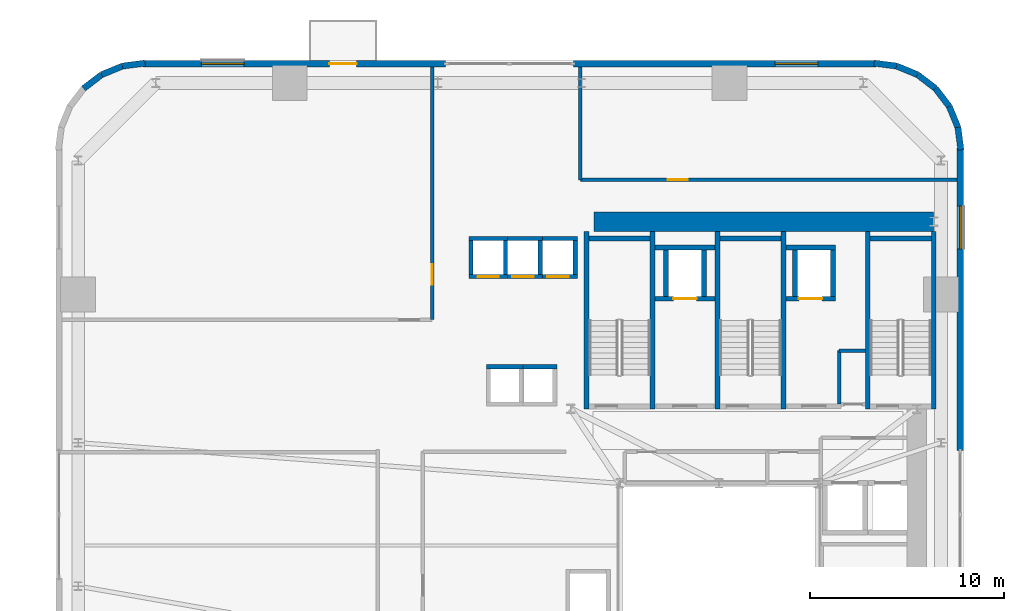
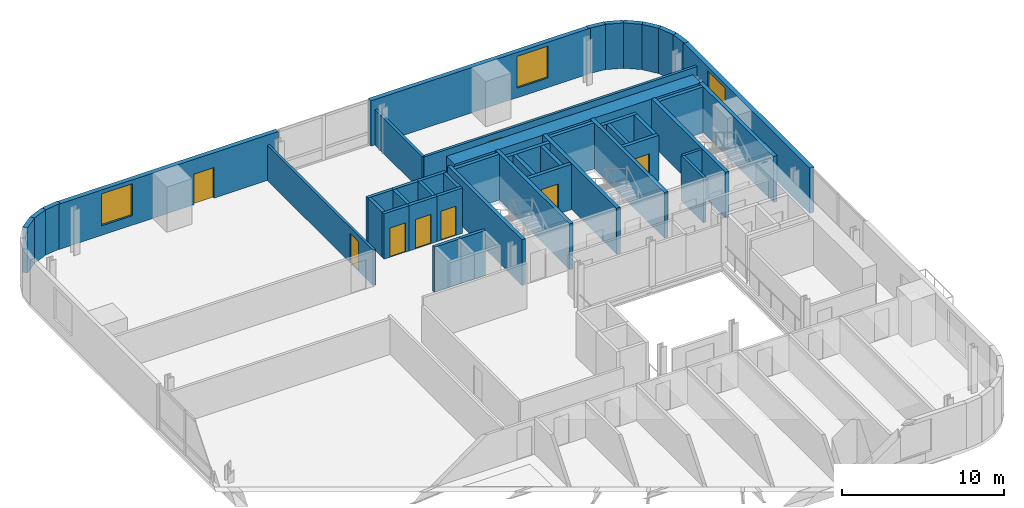
# One storey, part 8 of 12: 47 walls, 8 doors, 3 windows, 11 openings.
"""IFC4 building model written with IfcOpenShell, lengths in metres."""

from ifc_helpers import new_model, si_unit, direction, frame, frame_2d, origin, place, context, subcontext, project, spatial, rectangle, extrude, source, transform, mapped, material, layer, layer_set, type_object, element, fill, save


model = new_model("IFC4")

# Units and contexts
model_context = context("Model", 3, precision=1e-05, world=origin(), true_north=direction((0.0, 1.0)))
body_context = subcontext(model_context, "Body", "Model", "MODEL_VIEW")
ifc_project = project(units=[si_unit("LENGTHUNIT", "METRE"), si_unit("AREAUNIT", "SQUARE_METRE"), si_unit("VOLUMEUNIT", "CUBIC_METRE"), si_unit("PLANEANGLEUNIT", "RADIAN"), si_unit("MASSUNIT", "GRAM", prefix="KILO")], contexts=[model_context])

# Site, building, storey
site_placement = place(None, origin())
site = spatial("IfcSite", under=ifc_project, at=site_placement, CompositionType="ELEMENT")
building_placement = place(site_placement, origin())
building = spatial("IfcBuilding", under=site, at=building_placement, Name="Vardaveli Station Tower", CompositionType="ELEMENT")
storey_placement = place(building_placement, frame((0.0, 0.0, 60.449951171875)))
storey = spatial("IfcBuildingStorey", under=building, at=storey_placement, Name="L15", CompositionType="ELEMENT", Elevation=60.449951171875)

# Wall
ifc_material_1 = material(Name="Concrete C60/75", Category="concrete")
ifc_layer_1 = layer(ifc_material_1, 1.0, Name="Concrete C60/75")
ifc_layer_set_1 = layer_set([ifc_layer_1], Name="Concrete C60/75")
wall_type_1 = type_object("IfcWallType", Name="WAL-CORE-1000", PredefinedType="SHEAR", material=ifc_layer_set_1)
shared_shape_1 = source(origin(), body_context, "Body", "SweptSolid", [
    extrude(rectangle(XDim=17.52001953125, YDim=1.0, at=frame_2d((8.760009765625, 0.0))), origin(), (0.0, 0.0, 1.0), 3.41015625),
])
wall_1_placement = place(storey_placement, frame((29.85009765625, 40.300048828125, 0.0), z_axis=(0.0, 0.0, 1.0), x_axis=(1.0, 0.0, 0.0)))
element("IfcWall", 1, at=wall_1_placement, inside=storey, type_object=wall_type_1, Name="SW-L15-NORTH", PredefinedType="SHEAR", context=body_context, shape_type="MappedRepresentation", body=[
    mapped(shared_shape_1, transform((0.0, 0.0, 0.0), scale=1.0)),
])

# Wall, opening, window
ifc_material_2 = material(Name="Precast concrete C45/55", Category="concrete")
ifc_layer_2 = layer(ifc_material_2, 0.320068359375, Name="Precast concrete C45/55")
ifc_layer_set_2 = layer_set([ifc_layer_2], Name="Precast concrete C45/55")
wall_type_2 = type_object("IfcWallType", Name="WAL-EXT-STONE-320", PredefinedType="SOLIDWALL", material=ifc_layer_set_2)
shared_shape_2 = source(origin(), body_context, "Body", "SweptSolid", [
    extrude(rectangle(XDim=15.599853515625, YDim=0.320068359375, at=frame_2d((7.7998046875, 0.0))), origin(), (0.0, 0.0, 1.0), 3.41015625),
])
wall_2_placement = place(storey_placement, frame((44.39990234375, 48.43994140625, 0.0), z_axis=(0.0, 0.0, 1.0), x_axis=(-1.0, 0.0, 0.0)))
wall_2 = element("IfcWall", 2, at=wall_2_placement, inside=storey, type_object=wall_type_2, Name="EW-L15-N1", PredefinedType="SOLIDWALL", context=body_context, shape_type="MappedRepresentation", body=[
    mapped(shared_shape_2, transform((0.0, 0.0, 0.0), scale=1.0)),
])
shared_shape_3 = source(origin(), body_context, "Body", "SweptSolid", [
    extrude(rectangle(XDim=2.199951171875, YDim=2.39990234375, at=frame_2d((1.10009765625, 1.199951171875))), frame((0.0, 0.169921875, 0.0), z_axis=(0.0, -1.0, 0.0), x_axis=(1.0, 0.0, 0.0)), (0.0, 0.0, 1.0), 0.340087890625),
])
opening_1_placement = place(wall_2_placement, frame((3.0048828125, 0.0, 0.719970703125)))
opening_1 = element("IfcOpeningElement", 3, at=opening_1_placement, cuts=wall_2, Name="Opening W-03", PredefinedType="OPENING", context=body_context, shape_type="MappedRepresentation", body=[
    mapped(shared_shape_3, transform((0.0, 0.0, 0.0), scale=1.0)),
])
ifc_material_3 = material(Name="Low-E solar-control glass", Category="glass")
window_type = type_object("IfcWindowType", Name="WIN-LOG-2200x2400", PartitioningType="SINGLE_PANEL", PredefinedType="WINDOW", material=ifc_material_3)
shared_shape_4 = source(origin(), body_context, "Body", "SweptSolid", [
    extrude(rectangle(XDim=2.199951171875, YDim=2.39990234375, at=frame_2d((1.10009765625, 1.199951171875))), frame((0.0, 0.030029296875, 0.0), z_axis=(0.0, -1.0, 0.0), x_axis=(1.0, 0.0, 0.0)), (0.0, 0.0, 1.0), 0.06005859375),
])
window_1_placement = place(opening_1_placement, origin())
window_1 = element("IfcWindow", 4, at=window_1_placement, inside=storey, type_object=window_type, Name="WN-L15-N1", OverallHeight=2.39990234375, OverallWidth=2.199951171875, PartitioningType="SINGLE_PANEL", PredefinedType="WINDOW", context=body_context, shape_type="MappedRepresentation", body=[
    mapped(shared_shape_4, transform((0.0, 0.0, 0.0), scale=1.0)),
])
fill(opening_1, window_1)

# Wall, openings, door, window
wall_3_placement = place(storey_placement, frame((22.199951171875, 48.43994140625, 0.0), z_axis=(0.0, 0.0, 1.0), x_axis=(-1.0, 0.0, 0.0)))
wall_3 = element("IfcWall", 5, at=wall_3_placement, inside=storey, type_object=wall_type_2, Name="EW-L15-N2", PredefinedType="SOLIDWALL", context=body_context, shape_type="MappedRepresentation", body=[
    mapped(shared_shape_2, transform((0.0, 0.0, 0.0), scale=1.0)),
])
shared_shape_5 = source(origin(), body_context, "Body", "SweptSolid", [
    extrude(rectangle(XDim=1.39990234375, YDim=2.300048828125, at=frame_2d((0.699951171875, 1.14990234375))), frame((0.0, 0.169921875, 0.0), z_axis=(0.0, -1.0, 0.0), x_axis=(1.0, 0.0, 0.0)), (0.0, 0.0, 1.0), 0.340087890625),
])
opening_2_placement = place(wall_3_placement, frame((4.589599609375, 0.0, 0.0)))
opening_2 = element("IfcOpeningElement", 6, at=opening_2_placement, cuts=wall_3, Name="Opening D-09", PredefinedType="OPENING", context=body_context, shape_type="MappedRepresentation", body=[
    mapped(shared_shape_5, transform((0.0, 0.0, 0.0), scale=1.0)),
])
opening_3_placement = place(wall_3_placement, frame((10.39501953125, 0.0, 0.719970703125)))
opening_3 = element("IfcOpeningElement", 7, at=opening_3_placement, cuts=wall_3, Name="Opening W-03", PredefinedType="OPENING", context=body_context, shape_type="MappedRepresentation", body=[
    mapped(shared_shape_3, transform((0.0, 0.0, 0.0), scale=1.0)),
])
ifc_material_4 = material(Name="Thermally broken aluminium glass", Category="aluminium")
door_type_1 = type_object("IfcDoorType", Name="DR-LOG-1400x2300", OperationType="DOUBLE_DOOR_SLIDING", PredefinedType="DOOR", material=ifc_material_4)
shared_shape_6 = source(origin(), body_context, "Body", "SweptSolid", [
    extrude(rectangle(XDim=1.39990234375, YDim=2.300048828125, at=frame_2d((0.699951171875, 1.14990234375))), frame((0.0, 0.02490234375, 0.0), z_axis=(0.0, -1.0, 0.0), x_axis=(1.0, 0.0, 0.0)), (0.0, 0.0, 1.0), 0.050048828125),
])
door_1_placement = place(opening_2_placement, frame((1.39990234375, 0.0, 0.0), z_axis=(0.0, 0.0, 1.0), x_axis=(-1.0, 0.0, 0.0)))
door_1 = element("IfcDoor", 8, at=door_1_placement, inside=storey, type_object=door_type_1, Name="DLG-L15-N", OperationType="DOUBLE_DOOR_SLIDING", OverallHeight=2.300048828125, OverallWidth=1.39990234375, PredefinedType="DOOR", context=body_context, shape_type="MappedRepresentation", body=[
    mapped(shared_shape_6, transform((0.0, 0.0, 0.0), scale=1.0)),
])
fill(opening_2, door_1)
window_2_placement = place(opening_3_placement, origin())
window_2 = element("IfcWindow", 9, at=window_2_placement, inside=storey, type_object=window_type, Name="WN-L15-N2", OverallHeight=2.39990234375, OverallWidth=2.199951171875, PartitioningType="SINGLE_PANEL", PredefinedType="WINDOW", context=body_context, shape_type="MappedRepresentation", body=[
    mapped(shared_shape_4, transform((0.0, 0.0, 0.0), scale=1.0)),
])
fill(opening_3, window_2)

# Wall, opening, window
shared_shape_7 = source(origin(), body_context, "Body", "SweptSolid", [
    extrude(rectangle(XDim=15.60009765625, YDim=0.320068359375, at=frame_2d((7.800048828125, 0.0))), origin(), (0.0, 0.0, 1.0), 3.41015625),
])
wall_4_placement = place(storey_placement, frame((48.739990234375, 28.5, 0.0), z_axis=(0.0, 0.0, 1.0), x_axis=(0.0, 1.0, 0.0)))
wall_4 = element("IfcWall", 10, at=wall_4_placement, inside=storey, type_object=wall_type_2, Name="EW-L15-E2", PredefinedType="SOLIDWALL", context=body_context, shape_type="MappedRepresentation", body=[
    mapped(shared_shape_7, transform((0.0, 0.0, 0.0), scale=1.0)),
])
opening_4_placement = place(wall_4_placement, frame((10.39501953125, 0.0, 0.719970703125)))
opening_4 = element("IfcOpeningElement", 11, at=opening_4_placement, cuts=wall_4, Name="Opening W-03", PredefinedType="OPENING", context=body_context, shape_type="MappedRepresentation", body=[
    mapped(shared_shape_3, transform((0.0, 0.0, 0.0), scale=1.0)),
])
window_3_placement = place(opening_4_placement, origin())
window_3 = element("IfcWindow", 12, at=window_3_placement, inside=storey, type_object=window_type, Name="WN-L15-E2", OverallHeight=2.39990234375, OverallWidth=2.199951171875, PartitioningType="SINGLE_PANEL", PredefinedType="WINDOW", context=body_context, shape_type="MappedRepresentation", body=[
    mapped(shared_shape_4, transform((0.0, 0.0, 0.0), scale=1.0)),
])
fill(opening_4, window_3)

# Walls
shared_shape_8 = source(origin(), body_context, "Body", "SweptSolid", [
    extrude(rectangle(XDim=1.1689453125, YDim=0.320068359375, at=frame_2d((0.58447265625, 0.0))), origin(), (0.0, 0.0, 1.0), 3.41015625),
])
wall_5_placement = place(storey_placement, frame((48.179931640625, 46.2412109375, 0.0), z_axis=(0.0, 0.0, 1.0), x_axis=(-0.608387696831, 0.793639975269, 0.0)))
element("IfcWall", 13, at=wall_5_placement, inside=storey, type_object=wall_type_2, Name="EW-L15-CR3-3", PredefinedType="SOLIDWALL", context=body_context, shape_type="MappedRepresentation", body=[
    mapped(shared_shape_8, transform((0.0, 0.0, 0.0), scale=1.0)),
])
shared_shape_9 = source(origin(), body_context, "Body", "SweptSolid", [
    extrude(rectangle(XDim=1.168701171875, YDim=0.320068359375, at=frame_2d((0.58447265625, 0.0))), origin(), (0.0, 0.0, 1.0), 3.41015625),
])
for number, where, z_axis, x_axis, name in (
    (14, (47.46875, 47.1689453125, 0.0), (0.0, 0.0, 1.0), (-0.793663520347, 0.608356981114, 0.0), "EW-L15-CR3-4"),
    (15, (4.458740234375, 47.8798828125, 0.0), (0.0, 0.0, 1.0), (-0.793663520347, -0.608356981114, 0.0), "EW-L15-CR4-3"),
):
    element("IfcWall", number, at=place(storey_placement, frame(where, z_axis=z_axis, x_axis=x_axis)), inside=storey, type_object=wall_type_2, Name=name, PredefinedType="SOLIDWALL", context=body_context, shape_type="MappedRepresentation", body=[
        mapped(shared_shape_9, transform((0.0, 0.0, 0.0), scale=1.0)),
    ])
shared_shape_10 = source(origin(), body_context, "Body", "SweptSolid", [
    extrude(rectangle(XDim=1.17041015625, YDim=0.320068359375, at=frame_2d((0.585205078125, 0.0))), origin(), (0.0, 0.0, 1.0), 3.41015625),
])
for number, where, z_axis, x_axis, name in (
    (16, (48.775634765625, 43.99951171875, 0.0), (0.0, 0.0, 1.0), (-0.128295670475, 0.991735963317, 0.0), "EW-L15-CR3-1"),
    (17, (45.460205078125, 48.325439453125, 0.0), (0.0, 0.0, 1.0), (-0.991735963317, 0.128295670475, 0.0), "EW-L15-CR3-6"),
    (18, (6.700439453125, 48.4755859375, 0.0), (0.0, 0.0, 1.0), (-0.991735963317, -0.128295670475, 0.0), "EW-L15-CR4-1"),
):
    element("IfcWall", number, at=place(storey_placement, frame(where, z_axis=z_axis, x_axis=x_axis)), inside=storey, type_object=wall_type_2, Name=name, PredefinedType="SOLIDWALL", context=body_context, shape_type="MappedRepresentation", body=[
        mapped(shared_shape_10, transform((0.0, 0.0, 0.0), scale=1.0)),
    ])
shared_shape_11 = source(origin(), body_context, "Body", "SweptSolid", [
    extrude(rectangle(XDim=1.169189453125, YDim=0.320068359375, at=frame_2d((0.58447265625, 0.0))), origin(), (0.0, 0.0, 1.0), 3.41015625),
])
for number, where, z_axis, x_axis, name in (
    (19, (48.62548828125, 45.16015625, 0.0), (0.0, 0.0, 1.0), (-0.381054331552, 0.924552646638, 0.0), "EW-L15-CR3-2"),
    (20, (46.541259765625, 47.8798828125, 0.0), (0.0, 0.0, 1.0), (-0.924552646638, 0.381054331552, 0.0), "EW-L15-CR3-5"),
    (21, (5.539794921875, 48.325439453125, 0.0), (0.0, 0.0, 1.0), (-0.924552646638, -0.381054331552, 0.0), "EW-L15-CR4-2"),
):
    element("IfcWall", number, at=place(storey_placement, frame(where, z_axis=z_axis, x_axis=x_axis)), inside=storey, type_object=wall_type_2, Name=name, PredefinedType="SOLIDWALL", context=body_context, shape_type="MappedRepresentation", body=[
        mapped(shared_shape_11, transform((0.0, 0.0, 0.0), scale=1.0)),
    ])
ifc_material_5 = material(Name="Concrete C40/50", Category="concrete")
ifc_layer_3 = layer(ifc_material_5, 0.25, Name="Concrete C40/50")
ifc_layer_set_3 = layer_set([ifc_layer_3], Name="Concrete C40/50")
wall_type_3 = type_object("IfcWallType", Name="WAL-SHAFT-250", PredefinedType="SOLIDWALL", material=ifc_layer_set_3)
shared_shape_12 = source(origin(), body_context, "Body", "SweptSolid", [
    extrude(rectangle(XDim=9.150146484375, YDim=0.25, at=frame_2d((4.5751953125, 0.0))), origin(), (0.0, 0.0, 1.0), 3.449951171875),
])
for number, where, z_axis, x_axis, name in (
    (22, (29.47509765625, 30.64990234375, 0.0), (0.0, 0.0, 1.0), (0.0, 1.0, 0.0), "W-L15-ST-1W"),
    (23, (32.875, 30.64990234375, 0.0), (0.0, 0.0, 1.0), (0.0, 1.0, 0.0), "W-L15-ST-1E"),
    (24, (36.22509765625, 30.64990234375, 0.0), (0.0, 0.0, 1.0), (0.0, 1.0, 0.0), "W-L15-ST-2W"),
    (25, (39.625, 30.64990234375, 0.0), (0.0, 0.0, 1.0), (0.0, 1.0, 0.0), "W-L15-ST-2E"),
    (26, (43.97509765625, 30.64990234375, 0.0), (0.0, 0.0, 1.0), (0.0, 1.0, 0.0), "W-L15-ST-3W"),
    (27, (47.375, 30.64990234375, 0.0), (0.0, 0.0, 1.0), (0.0, 1.0, 0.0), "W-L15-ST-3E"),
):
    element("IfcWall", number, at=place(storey_placement, frame(where, z_axis=z_axis, x_axis=x_axis)), inside=storey, type_object=wall_type_3, Name=name, PredefinedType="SOLIDWALL", context=body_context, shape_type="MappedRepresentation", body=[
        mapped(shared_shape_12, transform((0.0, 0.0, 0.0), scale=1.0)),
    ])
shared_shape_13 = source(origin(), body_context, "Body", "SweptSolid", [
    extrude(rectangle(XDim=3.14990234375, YDim=0.25, at=frame_2d((1.574951171875, 0.0))), origin(), (0.0, 0.0, 1.0), 3.449951171875),
])
for number, where, z_axis, x_axis, name in (
    (28, (29.60009765625, 39.425048828125, 0.0), (0.0, 0.0, 1.0), (1.0, 0.0, 0.0), "W-L15-ST-1N"),
    (29, (36.35009765625, 39.425048828125, 0.0), (0.0, 0.0, 1.0), (1.0, 0.0, 0.0), "W-L15-ST-2N"),
    (30, (44.10009765625, 39.425048828125, 0.0), (0.0, 0.0, 1.0), (1.0, 0.0, 0.0), "W-L15-ST-3N"),
):
    element("IfcWall", number, at=place(storey_placement, frame(where, z_axis=z_axis, x_axis=x_axis)), inside=storey, type_object=wall_type_3, Name=name, PredefinedType="SOLIDWALL", context=body_context, shape_type="MappedRepresentation", body=[
        mapped(shared_shape_13, transform((0.0, 0.0, 0.0), scale=1.0)),
    ])

# Wall, opening, door
ifc_layer_4 = layer(ifc_material_5, 0.219970703125, Name="Concrete C40/50")
ifc_layer_set_4 = layer_set([ifc_layer_4], Name="Concrete C40/50")
wall_type_4 = type_object("IfcWallType", Name="WAL-FFLOBBY-220", PredefinedType="SOLIDWALL", material=ifc_layer_set_4)
shared_shape_14 = source(origin(), body_context, "Body", "SweptSolid", [
    extrude(rectangle(XDim=1.989990234375, YDim=0.219970703125, at=frame_2d((0.9951171875, 0.0))), origin(), (0.0, 0.0, 1.0), 3.41015625),
])
wall_6_placement = place(storey_placement, frame((23.405029296875, 37.465087890625, 0.0), z_axis=(0.0, 0.0, 1.0), x_axis=(1.0, 0.0, 0.0)))
wall_6 = element("IfcWall", 31, at=wall_6_placement, inside=storey, type_object=wall_type_4, Name="SHW-HL1-01-L15-S", PredefinedType="SOLIDWALL", context=body_context, shape_type="MappedRepresentation", body=[
    mapped(shared_shape_14, transform((0.0, 0.0, 0.0), scale=1.0)),
])
shared_shape_15 = source(origin(), body_context, "Body", "SweptSolid", [
    extrude(rectangle(XDim=1.10009765625, YDim=2.199951171875, at=frame_2d((0.550048828125, 1.10009765625))), frame((0.0, 0.1201171875, 0.0), z_axis=(0.0, -1.0, 0.0), x_axis=(1.0, 0.0, 0.0)), (0.0, 0.0, 1.0), 0.239990234375),
])
opening_5_placement = place(wall_6_placement, frame((0.445068359375, 0.0, 0.0)))
opening_5 = element("IfcOpeningElement", 32, at=opening_5_placement, cuts=wall_6, Name="Opening LD-01", PredefinedType="OPENING", context=body_context, shape_type="MappedRepresentation", body=[
    mapped(shared_shape_15, transform((0.0, 0.0, 0.0), scale=1.0)),
])
ifc_material_6 = material(Name="Brushed stainless steel", Category="steel")
door_type_2 = type_object("IfcDoorType", Name="DR-LD-1100x2200", OperationType="DOUBLE_DOOR_SLIDING", PredefinedType="DOOR", material=ifc_material_6)
shared_shape_16 = source(origin(), body_context, "Body", "SweptSolid", [
    extrude(rectangle(XDim=1.10009765625, YDim=2.199951171875, at=frame_2d((0.550048828125, 1.10009765625))), frame((0.0, 0.02490234375, 0.0), z_axis=(0.0, -1.0, 0.0), x_axis=(1.0, 0.0, 0.0)), (0.0, 0.0, 1.0), 0.050048828125),
])
door_2_placement = place(opening_5_placement, origin())
door_2 = element("IfcDoor", 33, at=door_2_placement, inside=storey, type_object=door_type_2, Name="LD-HL1-01-L15", OperationType="DOUBLE_DOOR_SLIDING", OverallHeight=2.199951171875, OverallWidth=1.10009765625, PredefinedType="DOOR", context=body_context, shape_type="MappedRepresentation", body=[
    mapped(shared_shape_16, transform((0.0, 0.0, 0.0), scale=1.0)),
])
fill(opening_5, door_2)

# Wall
wall_7_placement = place(storey_placement, frame((23.405029296875, 39.43505859375, 0.0), z_axis=(0.0, 0.0, 1.0), x_axis=(1.0, 0.0, 0.0)))
element("IfcWall", 34, at=wall_7_placement, inside=storey, type_object=wall_type_4, Name="SHW-HL1-01-L15-N", PredefinedType="SOLIDWALL", context=body_context, shape_type="MappedRepresentation", body=[
    mapped(shared_shape_14, transform((0.0, 0.0, 0.0), scale=1.0)),
])

# Wall, opening, door
wall_8_placement = place(storey_placement, frame((25.205078125, 37.465087890625, 0.0), z_axis=(0.0, 0.0, 1.0), x_axis=(1.0, 0.0, 0.0)))
wall_8 = element("IfcWall", 35, at=wall_8_placement, inside=storey, type_object=wall_type_4, Name="SHW-HL1-02-L15-S", PredefinedType="SOLIDWALL", context=body_context, shape_type="MappedRepresentation", body=[
    mapped(shared_shape_14, transform((0.0, 0.0, 0.0), scale=1.0)),
])
opening_6_placement = place(wall_8_placement, frame((0.445068359375, 0.0, 0.0)))
opening_6 = element("IfcOpeningElement", 36, at=opening_6_placement, cuts=wall_8, Name="Opening LD-01", PredefinedType="OPENING", context=body_context, shape_type="MappedRepresentation", body=[
    mapped(shared_shape_15, transform((0.0, 0.0, 0.0), scale=1.0)),
])
door_3_placement = place(opening_6_placement, origin())
door_3 = element("IfcDoor", 37, at=door_3_placement, inside=storey, type_object=door_type_2, Name="LD-HL1-02-L15", OperationType="DOUBLE_DOOR_SLIDING", OverallHeight=2.199951171875, OverallWidth=1.10009765625, PredefinedType="DOOR", context=body_context, shape_type="MappedRepresentation", body=[
    mapped(shared_shape_16, transform((0.0, 0.0, 0.0), scale=1.0)),
])
fill(opening_6, door_3)

# Walls
wall_9_placement = place(storey_placement, frame((25.205078125, 39.43505859375, 0.0), z_axis=(0.0, 0.0, 1.0), x_axis=(1.0, 0.0, 0.0)))
element("IfcWall", 38, at=wall_9_placement, inside=storey, type_object=wall_type_4, Name="SHW-HL1-02-L15-N", PredefinedType="SOLIDWALL", context=body_context, shape_type="MappedRepresentation", body=[
    mapped(shared_shape_14, transform((0.0, 0.0, 0.0), scale=1.0)),
])
shared_shape_17 = source(origin(), body_context, "Body", "SweptSolid", [
    extrude(rectangle(XDim=1.75, YDim=0.219970703125, at=frame_2d((0.875, 0.0))), origin(), (0.0, 0.0, 1.0), 3.41015625),
])
for number, where, z_axis, x_axis, name in (
    (39, (23.514892578125, 37.574951171875, 0.0), (0.0, 0.0, 1.0), (0.0, 1.0, 0.0), "SHW-HL1-01-L15-W"),
    (40, (25.284912109375, 37.574951171875, 0.0), (0.0, 0.0, 1.0), (0.0, 1.0, 0.0), "SHW-HL1-01-L15-E"),
    (41, (27.0849609375, 37.574951171875, 0.0), (0.0, 0.0, 1.0), (0.0, 1.0, 0.0), "SHW-HL1-02-L15-E"),
    (42, (28.885009765625, 37.574951171875, 0.0), (0.0, 0.0, 1.0), (0.0, 1.0, 0.0), "SHW-HL1-03-L15-E"),
):
    element("IfcWall", number, at=place(storey_placement, frame(where, z_axis=z_axis, x_axis=x_axis)), inside=storey, type_object=wall_type_4, Name=name, PredefinedType="SOLIDWALL", context=body_context, shape_type="MappedRepresentation", body=[
        mapped(shared_shape_17, transform((0.0, 0.0, 0.0), scale=1.0)),
    ])

# Wall, opening, door
shared_shape_18 = source(origin(), body_context, "Body", "SweptSolid", [
    extrude(rectangle(XDim=1.990234375, YDim=0.219970703125, at=frame_2d((0.9951171875, 0.0))), origin(), (0.0, 0.0, 1.0), 3.41015625),
])
wall_10_placement = place(storey_placement, frame((27.0048828125, 37.465087890625, 0.0), z_axis=(0.0, 0.0, 1.0), x_axis=(1.0, 0.0, 0.0)))
wall_10 = element("IfcWall", 43, at=wall_10_placement, inside=storey, type_object=wall_type_4, Name="SHW-HL1-03-L15-S", PredefinedType="SOLIDWALL", context=body_context, shape_type="MappedRepresentation", body=[
    mapped(shared_shape_18, transform((0.0, 0.0, 0.0), scale=1.0)),
])
opening_7_placement = place(wall_10_placement, frame((0.445068359375, 0.0, 0.0)))
opening_7 = element("IfcOpeningElement", 44, at=opening_7_placement, cuts=wall_10, Name="Opening LD-01", PredefinedType="OPENING", context=body_context, shape_type="MappedRepresentation", body=[
    mapped(shared_shape_15, transform((0.0, 0.0, 0.0), scale=1.0)),
])
door_4_placement = place(opening_7_placement, origin())
door_4 = element("IfcDoor", 45, at=door_4_placement, inside=storey, type_object=door_type_2, Name="LD-HL1-03-L15", OperationType="DOUBLE_DOOR_SLIDING", OverallHeight=2.199951171875, OverallWidth=1.10009765625, PredefinedType="DOOR", context=body_context, shape_type="MappedRepresentation", body=[
    mapped(shared_shape_16, transform((0.0, 0.0, 0.0), scale=1.0)),
])
fill(opening_7, door_4)

# Wall
wall_11_placement = place(storey_placement, frame((27.0048828125, 39.43505859375, 0.0), z_axis=(0.0, 0.0, 1.0), x_axis=(1.0, 0.0, 0.0)))
element("IfcWall", 46, at=wall_11_placement, inside=storey, type_object=wall_type_4, Name="SHW-HL1-03-L15-N", PredefinedType="SOLIDWALL", context=body_context, shape_type="MappedRepresentation", body=[
    mapped(shared_shape_18, transform((0.0, 0.0, 0.0), scale=1.0)),
])

# Wall, opening, door
shared_shape_19 = source(origin(), body_context, "Body", "SweptSolid", [
    extrude(rectangle(XDim=3.10009765625, YDim=0.25, at=frame_2d((1.550048828125, 0.0))), origin(), (0.0, 0.0, 1.0), 3.41015625),
])
wall_12_placement = place(storey_placement, frame((33.0, 36.324951171875, 0.0), z_axis=(0.0, 0.0, 1.0), x_axis=(1.0, 0.0, 0.0)))
wall_12 = element("IfcWall", 47, at=wall_12_placement, inside=storey, type_object=wall_type_3, Name="SHW-FFL-01-L15-S", PredefinedType="SOLIDWALL", context=body_context, shape_type="MappedRepresentation", body=[
    mapped(shared_shape_19, transform((0.0, 0.0, 0.0), scale=1.0)),
])
shared_shape_20 = source(origin(), body_context, "Body", "SweptSolid", [
    extrude(rectangle(XDim=1.199951171875, YDim=2.25, at=frame_2d((0.60009765625, 1.125))), frame((0.0, 0.135009765625, 0.0), z_axis=(0.0, -1.0, 0.0), x_axis=(1.0, 0.0, 0.0)), (0.0, 0.0, 1.0), 0.27001953125),
])
opening_8_placement = place(wall_12_placement, frame((0.949951171875, 0.0, 0.0)))
opening_8 = element("IfcOpeningElement", 48, at=opening_8_placement, cuts=wall_12, Name="Opening LD-02", PredefinedType="OPENING", context=body_context, shape_type="MappedRepresentation", body=[
    mapped(shared_shape_20, transform((0.0, 0.0, 0.0), scale=1.0)),
])
door_type_3 = type_object("IfcDoorType", Name="DR-LD-1200x2250", OperationType="DOUBLE_DOOR_SLIDING", PredefinedType="DOOR", material=ifc_material_6)
shared_shape_21 = source(origin(), body_context, "Body", "SweptSolid", [
    extrude(rectangle(XDim=1.199951171875, YDim=2.25, at=frame_2d((0.60009765625, 1.125))), frame((0.0, 0.02490234375, 0.0), z_axis=(0.0, -1.0, 0.0), x_axis=(1.0, 0.0, 0.0)), (0.0, 0.0, 1.0), 0.050048828125),
])
door_5_placement = place(opening_8_placement, origin())
door_5 = element("IfcDoor", 49, at=door_5_placement, inside=storey, type_object=door_type_3, Name="LD-FFL-01-L15", OperationType="DOUBLE_DOOR_SLIDING", OverallHeight=2.25, OverallWidth=1.199951171875, PredefinedType="DOOR", context=body_context, shape_type="MappedRepresentation", body=[
    mapped(shared_shape_21, transform((0.0, 0.0, 0.0), scale=1.0)),
])
fill(opening_8, door_5)

# Walls
wall_13_placement = place(storey_placement, frame((33.0, 38.97509765625, 0.0), z_axis=(0.0, 0.0, 1.0), x_axis=(1.0, 0.0, 0.0)))
element("IfcWall", 50, at=wall_13_placement, inside=storey, type_object=wall_type_3, Name="SHW-FFL-01-L15-N", PredefinedType="SOLIDWALL", context=body_context, shape_type="MappedRepresentation", body=[
    mapped(shared_shape_19, transform((0.0, 0.0, 0.0), scale=1.0)),
])
shared_shape_22 = source(origin(), body_context, "Body", "SweptSolid", [
    extrude(rectangle(XDim=2.400146484375, YDim=0.25, at=frame_2d((1.2001953125, 0.0))), origin(), (0.0, 0.0, 1.0), 3.41015625),
])
for number, where, z_axis, x_axis, name in (
    (51, (33.574951171875, 36.449951171875, 0.0), (0.0, 0.0, 1.0), (0.0, 1.0, 0.0), "SHW-FFL-01-L15-W"),
    (52, (35.52490234375, 36.449951171875, 0.0), (0.0, 0.0, 1.0), (0.0, 1.0, 0.0), "SHW-FFL-01-L15-E"),
    (53, (40.22509765625, 36.449951171875, 0.0), (0.0, 0.0, 1.0), (0.0, 1.0, 0.0), "SHW-FFL-02-L15-W"),
    (54, (42.175048828125, 36.449951171875, 0.0), (0.0, 0.0, 1.0), (0.0, 1.0, 0.0), "SHW-FFL-02-L15-E"),
):
    element("IfcWall", number, at=place(storey_placement, frame(where, z_axis=z_axis, x_axis=x_axis)), inside=storey, type_object=wall_type_3, Name=name, PredefinedType="SOLIDWALL", context=body_context, shape_type="MappedRepresentation", body=[
        mapped(shared_shape_22, transform((0.0, 0.0, 0.0), scale=1.0)),
    ])

# Wall, opening, door
shared_shape_23 = source(origin(), body_context, "Body", "SweptSolid", [
    extrude(rectangle(XDim=2.550048828125, YDim=0.25, at=frame_2d((1.27490234375, 0.0))), origin(), (0.0, 0.0, 1.0), 3.41015625),
])
wall_14_placement = place(storey_placement, frame((39.75, 36.324951171875, 0.0), z_axis=(0.0, 0.0, 1.0), x_axis=(1.0, 0.0, 0.0)))
wall_14 = element("IfcWall", 55, at=wall_14_placement, inside=storey, type_object=wall_type_3, Name="SHW-FFL-02-L15-S", PredefinedType="SOLIDWALL", context=body_context, shape_type="MappedRepresentation", body=[
    mapped(shared_shape_23, transform((0.0, 0.0, 0.0), scale=1.0)),
])
opening_9_placement = place(wall_14_placement, frame((0.675048828125, 0.0, 0.0)))
opening_9 = element("IfcOpeningElement", 56, at=opening_9_placement, cuts=wall_14, Name="Opening LD-02", PredefinedType="OPENING", context=body_context, shape_type="MappedRepresentation", body=[
    mapped(shared_shape_20, transform((0.0, 0.0, 0.0), scale=1.0)),
])
door_6_placement = place(opening_9_placement, origin())
door_6 = element("IfcDoor", 57, at=door_6_placement, inside=storey, type_object=door_type_3, Name="LD-FFL-02-L15", OperationType="DOUBLE_DOOR_SLIDING", OverallHeight=2.25, OverallWidth=1.199951171875, PredefinedType="DOOR", context=body_context, shape_type="MappedRepresentation", body=[
    mapped(shared_shape_21, transform((0.0, 0.0, 0.0), scale=1.0)),
])
fill(opening_9, door_6)

# Walls
wall_15_placement = place(storey_placement, frame((39.75, 38.97509765625, 0.0), z_axis=(0.0, 0.0, 1.0), x_axis=(1.0, 0.0, 0.0)))
element("IfcWall", 58, at=wall_15_placement, inside=storey, type_object=wall_type_3, Name="SHW-FFL-02-L15-N", PredefinedType="SOLIDWALL", context=body_context, shape_type="MappedRepresentation", body=[
    mapped(shared_shape_23, transform((0.0, 0.0, 0.0), scale=1.0)),
])
shared_shape_24 = source(origin(), body_context, "Body", "SweptSolid", [
    extrude(rectangle(XDim=1.89013671875, YDim=0.219970703125, at=frame_2d((0.945068359375, 0.0))), origin(), (0.0, 0.0, 1.0), 3.41015625),
])
for number, where, z_axis, x_axis, name in (
    (59, (24.304931640625, 32.81005859375, 0.0), (0.0, 0.0, 1.0), (1.0, 0.0, 0.0), "SHW-SHU-01-L15-N"),
    (60, (26.054931640625, 32.81005859375, 0.0), (0.0, 0.0, 1.0), (1.0, 0.0, 0.0), "SHW-SHU-02-L15-N"),
):
    element("IfcWall", number, at=place(storey_placement, frame(where, z_axis=z_axis, x_axis=x_axis)), inside=storey, type_object=wall_type_4, Name=name, PredefinedType="SOLIDWALL", context=body_context, shape_type="MappedRepresentation", body=[
        mapped(shared_shape_24, transform((0.0, 0.0, 0.0), scale=1.0)),
    ])

# Wall, opening, door
ifc_material_7 = material(Name="Fire-rated gypsum stud partition")
ifc_layer_5 = layer(ifc_material_7, 0.179931640625, Name="Fire-rated gypsum stud partition")
ifc_layer_set_5 = layer_set([ifc_layer_5], Name="Fire-rated gypsum stud partition")
wall_type_5 = type_object("IfcWallType", Name="WAL-CORR-180", PredefinedType="PARTITIONING", material=ifc_layer_set_5)
shared_shape_25 = source(origin(), body_context, "Body", "SweptSolid", [
    extrude(rectangle(XDim=19.427978515625, YDim=0.179931640625, at=frame_2d((9.7138671875, 0.0))), origin(), (0.0, 0.0, 1.0), 2.652099609375),
])
wall_16_placement = place(storey_placement, frame((29.14990234375, 42.449951171875, 0.0), z_axis=(0.0, 0.0, 1.0), x_axis=(1.0, 0.0, 0.0)))
wall_16 = element("IfcWall", 61, at=wall_16_placement, inside=storey, type_object=wall_type_5, Name="W-L15-NPS", PredefinedType="PARTITIONING", context=body_context, shape_type="MappedRepresentation", body=[
    mapped(shared_shape_25, transform((0.0, 0.0, 0.0), scale=1.0)),
])
shared_shape_26 = source(origin(), body_context, "Body", "SweptSolid", [
    extrude(rectangle(XDim=1.050048828125, YDim=2.199951171875, at=frame_2d((0.52490234375, 1.10009765625))), frame((0.0, 0.10009765625, 0.0), z_axis=(0.0, -1.0, 0.0), x_axis=(1.0, 0.0, 0.0)), (0.0, 0.0, 1.0), 0.199951171875),
])
opening_10_placement = place(wall_16_placement, frame((4.5, 0.0, 0.0)))
opening_10 = element("IfcOpeningElement", 62, at=opening_10_placement, cuts=wall_16, Name="Opening D-05", PredefinedType="OPENING", context=body_context, shape_type="MappedRepresentation", body=[
    mapped(shared_shape_26, transform((0.0, 0.0, 0.0), scale=1.0)),
])
ifc_material_8 = material(Name="Walnut veneer acoustic fire door")
door_type_4 = type_object("IfcDoorType", Name="DR-SUITE-1050x2200", OperationType="NOTDEFINED", PredefinedType="DOOR", material=ifc_material_8)
shared_shape_27 = source(origin(), body_context, "Body", "SweptSolid", [
    extrude(rectangle(XDim=1.050048828125, YDim=2.199951171875, at=frame_2d((0.52490234375, 1.10009765625))), frame((0.0, 0.02490234375, 0.0), z_axis=(0.0, -1.0, 0.0), x_axis=(1.0, 0.0, 0.0)), (0.0, 0.0, 1.0), 0.050048828125),
])
door_7_placement = place(opening_10_placement, origin())
door_7 = element("IfcDoor", 63, at=door_7_placement, inside=storey, type_object=door_type_4, Name="D-L15-NP1", OperationType="SINGLE_SWING_RIGHT", OverallHeight=2.199951171875, OverallWidth=1.050048828125, PredefinedType="DOOR", context=body_context, shape_type="MappedRepresentation", body=[
    mapped(shared_shape_27, transform((0.0, 0.0, 0.0), scale=1.0)),
])
fill(opening_10, door_7)

shared_shape_28 = source(origin(), body_context, "Body", "SweptSolid", [
    extrude(rectangle(XDim=13.028076171875, YDim=0.179931640625, at=frame_2d((6.51416015625, 0.0))), origin(), (0.0, 0.0, 1.0), 2.652099609375),
])
wall_17_placement = place(storey_placement, frame((21.5, 35.25, 0.0), z_axis=(0.0, 0.0, 1.0), x_axis=(0.0, 1.0, 0.0)))
wall_17 = element("IfcWall", 64, at=wall_17_placement, inside=storey, type_object=wall_type_5, Name="W-L15-CNWE", PredefinedType="PARTITIONING", context=body_context, shape_type="MappedRepresentation", body=[
    mapped(shared_shape_28, transform((0.0, 0.0, 0.0), scale=1.0)),
])
opening_11_placement = place(wall_17_placement, frame((1.800048828125, 0.0, 0.0)))
opening_11 = element("IfcOpeningElement", 65, at=opening_11_placement, cuts=wall_17, Name="Opening D-05", PredefinedType="OPENING", context=body_context, shape_type="MappedRepresentation", body=[
    mapped(shared_shape_26, transform((0.0, 0.0, 0.0), scale=1.0)),
])
door_8_placement = place(opening_11_placement, origin())
door_8 = element("IfcDoor", 66, at=door_8_placement, inside=storey, type_object=door_type_4, Name="D-L15-GNWE", OperationType="SINGLE_SWING_RIGHT", OverallHeight=2.199951171875, OverallWidth=1.050048828125, PredefinedType="DOOR", context=body_context, shape_type="MappedRepresentation", body=[
    mapped(shared_shape_27, transform((0.0, 0.0, 0.0), scale=1.0)),
])
fill(opening_11, door_8)

# Walls
shared_shape_29 = source(origin(), body_context, "Body", "SweptSolid", [
    extrude(rectangle(XDim=5.828125, YDim=0.179931640625, at=frame_2d((2.9140625, 0.0))), origin(), (0.0, 0.0, 1.0), 2.652099609375),
])
wall_18_placement = place(storey_placement, frame((29.14990234375, 42.449951171875, 0.0), z_axis=(0.0, 0.0, 1.0), x_axis=(0.0, 1.0, 0.0)))
element("IfcWall", 67, at=wall_18_placement, inside=storey, type_object=wall_type_5, Name="W-L15-NPW", PredefinedType="PARTITIONING", context=body_context, shape_type="MappedRepresentation", body=[
    mapped(shared_shape_29, transform((0.0, 0.0, 0.0), scale=1.0)),
])
shared_shape_30 = source(origin(), body_context, "Body", "SweptSolid", [
    extrude(rectangle(XDim=1.347900390625, YDim=0.179931640625, at=frame_2d((0.673828125, 0.0))), origin(), (0.0, 0.0, 1.0), 3.41015625),
])
wall_19_placement = place(storey_placement, frame((42.5, 33.64990234375, 0.0), z_axis=(0.0, 0.0, 1.0), x_axis=(1.0, 0.0, 0.0)))
element("IfcWall", 68, at=wall_19_placement, inside=storey, type_object=wall_type_5, Name="W-L15-CBS0-N", PredefinedType="PARTITIONING", context=body_context, shape_type="MappedRepresentation", body=[
    mapped(shared_shape_30, transform((0.0, 0.0, 0.0), scale=1.0)),
])
shared_shape_31 = source(origin(), body_context, "Body", "SweptSolid", [
    extrude(rectangle(XDim=2.7578125, YDim=0.179931640625, at=frame_2d((1.37890625, 0.0))), origin(), (0.0, 0.0, 1.0), 3.41015625),
])
wall_20_placement = place(storey_placement, frame((42.5, 30.89208984375, 0.0), z_axis=(0.0, 0.0, 1.0), x_axis=(0.0, 1.0, 0.0)))
element("IfcWall", 69, at=wall_20_placement, inside=storey, type_object=wall_type_5, Name="W-L15-CBS0-W", PredefinedType="PARTITIONING", context=body_context, shape_type="MappedRepresentation", body=[
    mapped(shared_shape_31, transform((0.0, 0.0, 0.0), scale=1.0)),
])

save(model, "model.ifc")
